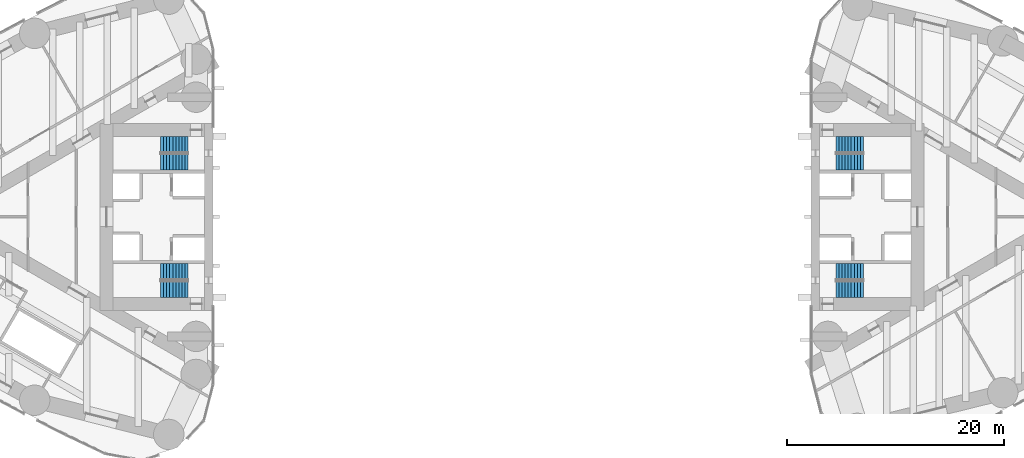
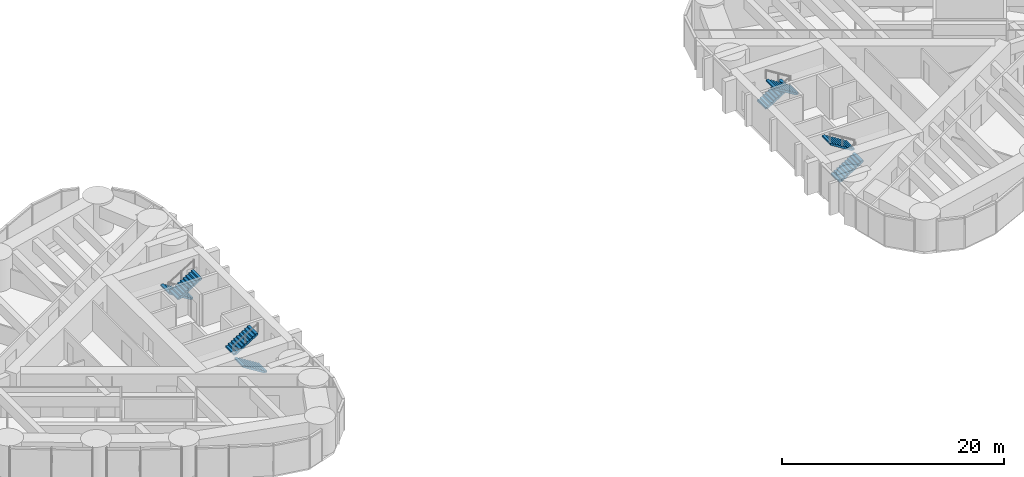
# One storey, part 16 of 17: 8 stair flights, 4 elements without a shape of their own.
"""IFC4 building model written with IfcOpenShell, lengths in metres."""

from ifc_helpers import new_model, si_unit, direction, frame, origin, place, context, subcontext, project, spatial, polyline, outline, extrude, material, type_object, element, aggregate, save


model = new_model("IFC4")

# Units and contexts
model_context = context("Model", 3, precision=1e-05, world=origin(), true_north=direction((0.0, 1.0)))
body_context = subcontext(model_context, "Body", "Model", "MODEL_VIEW")
ifc_project = project(units=[si_unit("LENGTHUNIT", "METRE"), si_unit("AREAUNIT", "SQUARE_METRE"), si_unit("VOLUMEUNIT", "CUBIC_METRE"), si_unit("PLANEANGLEUNIT", "RADIAN"), si_unit("MASSUNIT", "GRAM", prefix="KILO")], contexts=[model_context])

# Site, building, storey
site_placement = place(None, origin())
site = spatial("IfcSite", under=ifc_project, at=site_placement, CompositionType="ELEMENT")
building_placement = place(site_placement, origin())
building = spatial("IfcBuilding", under=site, at=building_placement, Name="Lancet Gate Hotel", CompositionType="ELEMENT")
storey_placement = place(building_placement, frame((0.0, 0.0, 201.800048828125)))
storey = spatial("IfcBuildingStorey", under=building, at=storey_placement, Name="L54", CompositionType="ELEMENT", Elevation=201.800048828125)

# Stair, stair flights
ifc_material_1 = material(Name="Exit stair 20 risers 1500")
stair_type = type_object("IfcStairType", Name="Exit stair 20 risers 1500", PredefinedType="HALF_TURN_STAIR", material=ifc_material_1)
stair_1_placement = place(storey_placement, origin())
stair_1 = element("IfcStair", 1, at=stair_1_placement, inside=storey, type_object=stair_type, Name="T1 stair 1 L54", PredefinedType="HALF_TURN_STAIR")
ifc_material_2 = material(Name="Stair flight 10 risers 175 rise 1500")
stair_flight_type = type_object("IfcStairFlightType", Name="Stair flight 10 risers 175 rise 1500", PredefinedType="STRAIGHT", material=ifc_material_2)
stair_flight_1_placement = place(storey_placement, frame((-29.800048828125, 6.64990234375, 0.0), z_axis=(0.0, 0.0, 1.0), x_axis=(-1.0, 0.0, 0.0)))
stair_flight_1 = element("IfcStairFlight", 2, at=stair_flight_1_placement, type_object=stair_flight_type, Name="ST1 flight 1", NumberOfRisers=10, NumberOfTreads=9, PredefinedType="STRAIGHT", RiserHeight=0.175, TreadLength=0.28, context=body_context, shape_type="SweptSolid", body=[
    extrude(outline(polyline([(0.0, 0.0), (0.0, 0.175048828125), (0.280029296875, 0.175048828125), (0.280029296875, 0.35009765625), (0.56005859375, 0.35009765625), (0.56005859375, 0.52490234375), (0.840087890625, 0.52490234375), (0.840087890625, 0.699951171875), (1.1201171875, 0.699951171875), (1.1201171875, 0.875), (1.39990234375, 0.875), (1.39990234375, 1.050048828125), (1.679931640625, 1.050048828125), (1.679931640625, 1.22509765625), (1.9599609375, 1.22509765625), (1.9599609375, 1.39990234375), (2.239990234375, 1.39990234375), (2.239990234375, 1.574951171875), (2.52001953125, 1.574951171875), (2.52001953125, 1.75), (2.52001953125, 1.398193359375), (0.28271484375, 0.0), (0.0, 0.0)])), frame((0.0, 0.75, 0.0), z_axis=(0.0, -1.0, 0.0), x_axis=(1.0, 0.0, 0.0)), (0.0, 0.0, 1.0), 1.5),
])
stair_flight_2_placement = place(storey_placement, frame((-32.320068359375, 5.050048828125, 1.75), z_axis=(0.0, 0.0, 1.0), x_axis=(1.0, 0.0, 0.0)))
stair_flight_2 = element("IfcStairFlight", 3, at=stair_flight_2_placement, type_object=stair_flight_type, Name="ST1 flight 2", NumberOfRisers=10, NumberOfTreads=9, PredefinedType="STRAIGHT", RiserHeight=0.175, TreadLength=0.28, context=body_context, shape_type="SweptSolid", body=[
    extrude(outline(polyline([(0.0, 0.0), (0.0, 0.175048828125), (0.280029296875, 0.175048828125), (0.280029296875, 0.35009765625), (0.56005859375, 0.35009765625), (0.56005859375, 0.52490234375), (0.840087890625, 0.52490234375), (0.840087890625, 0.699951171875), (1.1201171875, 0.699951171875), (1.1201171875, 0.875), (1.39990234375, 0.875), (1.39990234375, 1.050048828125), (1.679931640625, 1.050048828125), (1.679931640625, 1.22509765625), (1.9599609375, 1.22509765625), (1.9599609375, 1.39990234375), (2.239990234375, 1.39990234375), (2.239990234375, 1.574951171875), (2.52001953125, 1.574951171875), (2.52001953125, 1.75), (2.52001953125, 1.398193359375), (0.28271484375, 0.0), (0.0, 0.0)])), frame((0.0, 0.75, 0.0), z_axis=(0.0, -1.0, 0.0), x_axis=(1.0, 0.0, 0.0)), (0.0, 0.0, 1.0), 1.5),
])
aggregate(stair_1, [stair_flight_1, stair_flight_2])

stair_2_placement = place(storey_placement, origin())
stair_2 = element("IfcStair", 4, at=stair_2_placement, inside=storey, type_object=stair_type, Name="T1 stair 2 L54", PredefinedType="HALF_TURN_STAIR")
stair_flight_3_placement = place(storey_placement, frame((-29.800048828125, -6.64990234375, 0.0), z_axis=(0.0, 0.0, 1.0), x_axis=(-1.0, 0.0, 0.0)))
stair_flight_3 = element("IfcStairFlight", 5, at=stair_flight_3_placement, type_object=stair_flight_type, Name="ST2 flight 1", NumberOfRisers=10, NumberOfTreads=9, PredefinedType="STRAIGHT", RiserHeight=0.175, TreadLength=0.28, context=body_context, shape_type="SweptSolid", body=[
    extrude(outline(polyline([(0.0, 0.0), (0.0, 0.175048828125), (0.280029296875, 0.175048828125), (0.280029296875, 0.35009765625), (0.56005859375, 0.35009765625), (0.56005859375, 0.52490234375), (0.840087890625, 0.52490234375), (0.840087890625, 0.699951171875), (1.1201171875, 0.699951171875), (1.1201171875, 0.875), (1.39990234375, 0.875), (1.39990234375, 1.050048828125), (1.679931640625, 1.050048828125), (1.679931640625, 1.22509765625), (1.9599609375, 1.22509765625), (1.9599609375, 1.39990234375), (2.239990234375, 1.39990234375), (2.239990234375, 1.574951171875), (2.52001953125, 1.574951171875), (2.52001953125, 1.75), (2.52001953125, 1.398193359375), (0.28271484375, 0.0), (0.0, 0.0)])), frame((0.0, 0.75, 0.0), z_axis=(0.0, -1.0, 0.0), x_axis=(1.0, 0.0, 0.0)), (0.0, 0.0, 1.0), 1.5),
])
stair_flight_4_placement = place(storey_placement, frame((-32.320068359375, -5.050048828125, 1.75), z_axis=(0.0, 0.0, 1.0), x_axis=(1.0, 0.0, 0.0)))
stair_flight_4 = element("IfcStairFlight", 6, at=stair_flight_4_placement, type_object=stair_flight_type, Name="ST2 flight 2", NumberOfRisers=10, NumberOfTreads=9, PredefinedType="STRAIGHT", RiserHeight=0.175, TreadLength=0.28, context=body_context, shape_type="SweptSolid", body=[
    extrude(outline(polyline([(0.0, 0.0), (0.0, 0.175048828125), (0.280029296875, 0.175048828125), (0.280029296875, 0.35009765625), (0.56005859375, 0.35009765625), (0.56005859375, 0.52490234375), (0.840087890625, 0.52490234375), (0.840087890625, 0.699951171875), (1.1201171875, 0.699951171875), (1.1201171875, 0.875), (1.39990234375, 0.875), (1.39990234375, 1.050048828125), (1.679931640625, 1.050048828125), (1.679931640625, 1.22509765625), (1.9599609375, 1.22509765625), (1.9599609375, 1.39990234375), (2.239990234375, 1.39990234375), (2.239990234375, 1.574951171875), (2.52001953125, 1.574951171875), (2.52001953125, 1.75), (2.52001953125, 1.398193359375), (0.28271484375, 0.0), (0.0, 0.0)])), frame((0.0, 0.75, 0.0), z_axis=(0.0, -1.0, 0.0), x_axis=(1.0, 0.0, 0.0)), (0.0, 0.0, 1.0), 1.5),
])
aggregate(stair_2, [stair_flight_3, stair_flight_4])

stair_3_placement = place(storey_placement, origin())
stair_3 = element("IfcStair", 7, at=stair_3_placement, inside=storey, type_object=stair_type, Name="T2 stair 1 L54", PredefinedType="HALF_TURN_STAIR")
stair_flight_5_placement = place(storey_placement, frame((29.800048828125, -6.64990234375, 0.0), z_axis=(0.0, 0.0, 1.0), x_axis=(1.0, 0.0, 0.0)))
stair_flight_5 = element("IfcStairFlight", 8, at=stair_flight_5_placement, type_object=stair_flight_type, Name="ST3 flight 1", NumberOfRisers=10, NumberOfTreads=9, PredefinedType="STRAIGHT", RiserHeight=0.175, TreadLength=0.28, context=body_context, shape_type="SweptSolid", body=[
    extrude(outline(polyline([(0.0, 0.0), (0.0, 0.175048828125), (0.280029296875, 0.175048828125), (0.280029296875, 0.35009765625), (0.56005859375, 0.35009765625), (0.56005859375, 0.52490234375), (0.840087890625, 0.52490234375), (0.840087890625, 0.699951171875), (1.1201171875, 0.699951171875), (1.1201171875, 0.875), (1.39990234375, 0.875), (1.39990234375, 1.050048828125), (1.679931640625, 1.050048828125), (1.679931640625, 1.22509765625), (1.9599609375, 1.22509765625), (1.9599609375, 1.39990234375), (2.239990234375, 1.39990234375), (2.239990234375, 1.574951171875), (2.52001953125, 1.574951171875), (2.52001953125, 1.75), (2.52001953125, 1.398193359375), (0.28271484375, 0.0), (0.0, 0.0)])), frame((0.0, 0.75, 0.0), z_axis=(0.0, -1.0, 0.0), x_axis=(1.0, 0.0, 0.0)), (0.0, 0.0, 1.0), 1.5),
])
stair_flight_6_placement = place(storey_placement, frame((32.320068359375, -5.050048828125, 1.75), z_axis=(0.0, 0.0, 1.0), x_axis=(-1.0, 0.0, 0.0)))
stair_flight_6 = element("IfcStairFlight", 9, at=stair_flight_6_placement, type_object=stair_flight_type, Name="ST3 flight 2", NumberOfRisers=10, NumberOfTreads=9, PredefinedType="STRAIGHT", RiserHeight=0.175, TreadLength=0.28, context=body_context, shape_type="SweptSolid", body=[
    extrude(outline(polyline([(0.0, 0.0), (0.0, 0.175048828125), (0.280029296875, 0.175048828125), (0.280029296875, 0.35009765625), (0.56005859375, 0.35009765625), (0.56005859375, 0.52490234375), (0.840087890625, 0.52490234375), (0.840087890625, 0.699951171875), (1.1201171875, 0.699951171875), (1.1201171875, 0.875), (1.39990234375, 0.875), (1.39990234375, 1.050048828125), (1.679931640625, 1.050048828125), (1.679931640625, 1.22509765625), (1.9599609375, 1.22509765625), (1.9599609375, 1.39990234375), (2.239990234375, 1.39990234375), (2.239990234375, 1.574951171875), (2.52001953125, 1.574951171875), (2.52001953125, 1.75), (2.52001953125, 1.398193359375), (0.28271484375, 0.0), (0.0, 0.0)])), frame((0.0, 0.75, 0.0), z_axis=(0.0, -1.0, 0.0), x_axis=(1.0, 0.0, 0.0)), (0.0, 0.0, 1.0), 1.5),
])
aggregate(stair_3, [stair_flight_5, stair_flight_6])

stair_4_placement = place(storey_placement, origin())
stair_4 = element("IfcStair", 10, at=stair_4_placement, inside=storey, type_object=stair_type, Name="T2 stair 2 L54", PredefinedType="HALF_TURN_STAIR")
stair_flight_7_placement = place(storey_placement, frame((29.800048828125, 6.64990234375, 0.0), z_axis=(0.0, 0.0, 1.0), x_axis=(1.0, 0.0, 0.0)))
stair_flight_7 = element("IfcStairFlight", 11, at=stair_flight_7_placement, type_object=stair_flight_type, Name="ST4 flight 1", NumberOfRisers=10, NumberOfTreads=9, PredefinedType="STRAIGHT", RiserHeight=0.175, TreadLength=0.28, context=body_context, shape_type="SweptSolid", body=[
    extrude(outline(polyline([(0.0, 0.0), (0.0, 0.175048828125), (0.280029296875, 0.175048828125), (0.280029296875, 0.35009765625), (0.56005859375, 0.35009765625), (0.56005859375, 0.52490234375), (0.840087890625, 0.52490234375), (0.840087890625, 0.699951171875), (1.1201171875, 0.699951171875), (1.1201171875, 0.875), (1.39990234375, 0.875), (1.39990234375, 1.050048828125), (1.679931640625, 1.050048828125), (1.679931640625, 1.22509765625), (1.9599609375, 1.22509765625), (1.9599609375, 1.39990234375), (2.239990234375, 1.39990234375), (2.239990234375, 1.574951171875), (2.52001953125, 1.574951171875), (2.52001953125, 1.75), (2.52001953125, 1.398193359375), (0.28271484375, 0.0), (0.0, 0.0)])), frame((0.0, 0.75, 0.0), z_axis=(0.0, -1.0, 0.0), x_axis=(1.0, 0.0, 0.0)), (0.0, 0.0, 1.0), 1.5),
])
stair_flight_8_placement = place(storey_placement, frame((32.320068359375, 5.050048828125, 1.75), z_axis=(0.0, 0.0, 1.0), x_axis=(-1.0, 0.0, 0.0)))
stair_flight_8 = element("IfcStairFlight", 12, at=stair_flight_8_placement, type_object=stair_flight_type, Name="ST4 flight 2", NumberOfRisers=10, NumberOfTreads=9, PredefinedType="STRAIGHT", RiserHeight=0.175, TreadLength=0.28, context=body_context, shape_type="SweptSolid", body=[
    extrude(outline(polyline([(0.0, 0.0), (0.0, 0.175048828125), (0.280029296875, 0.175048828125), (0.280029296875, 0.35009765625), (0.56005859375, 0.35009765625), (0.56005859375, 0.52490234375), (0.840087890625, 0.52490234375), (0.840087890625, 0.699951171875), (1.1201171875, 0.699951171875), (1.1201171875, 0.875), (1.39990234375, 0.875), (1.39990234375, 1.050048828125), (1.679931640625, 1.050048828125), (1.679931640625, 1.22509765625), (1.9599609375, 1.22509765625), (1.9599609375, 1.39990234375), (2.239990234375, 1.39990234375), (2.239990234375, 1.574951171875), (2.52001953125, 1.574951171875), (2.52001953125, 1.75), (2.52001953125, 1.398193359375), (0.28271484375, 0.0), (0.0, 0.0)])), frame((0.0, 0.75, 0.0), z_axis=(0.0, -1.0, 0.0), x_axis=(1.0, 0.0, 0.0)), (0.0, 0.0, 1.0), 1.5),
])
aggregate(stair_4, [stair_flight_7, stair_flight_8])

save(model, "model.ifc")
